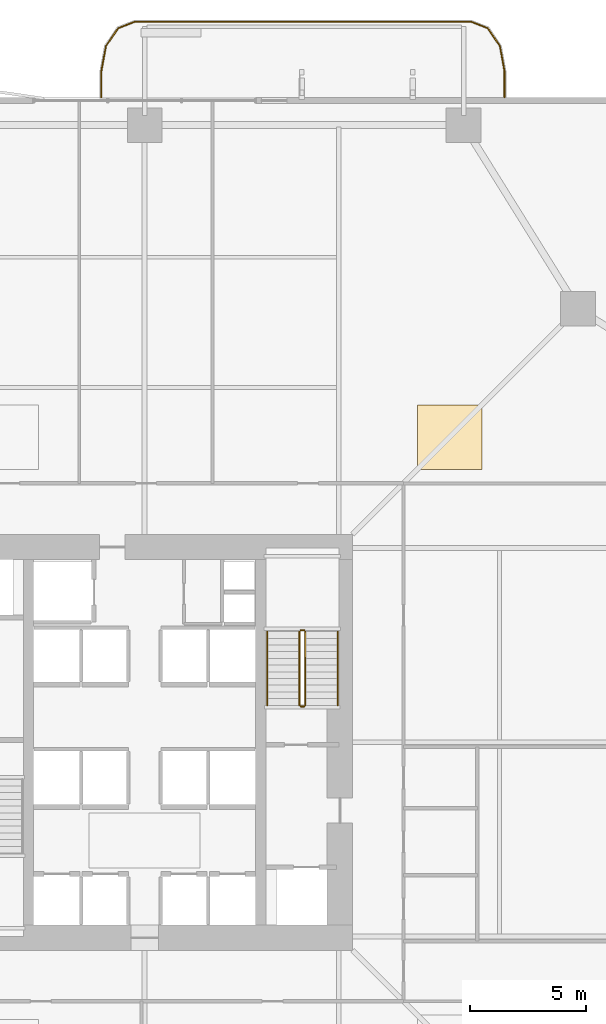
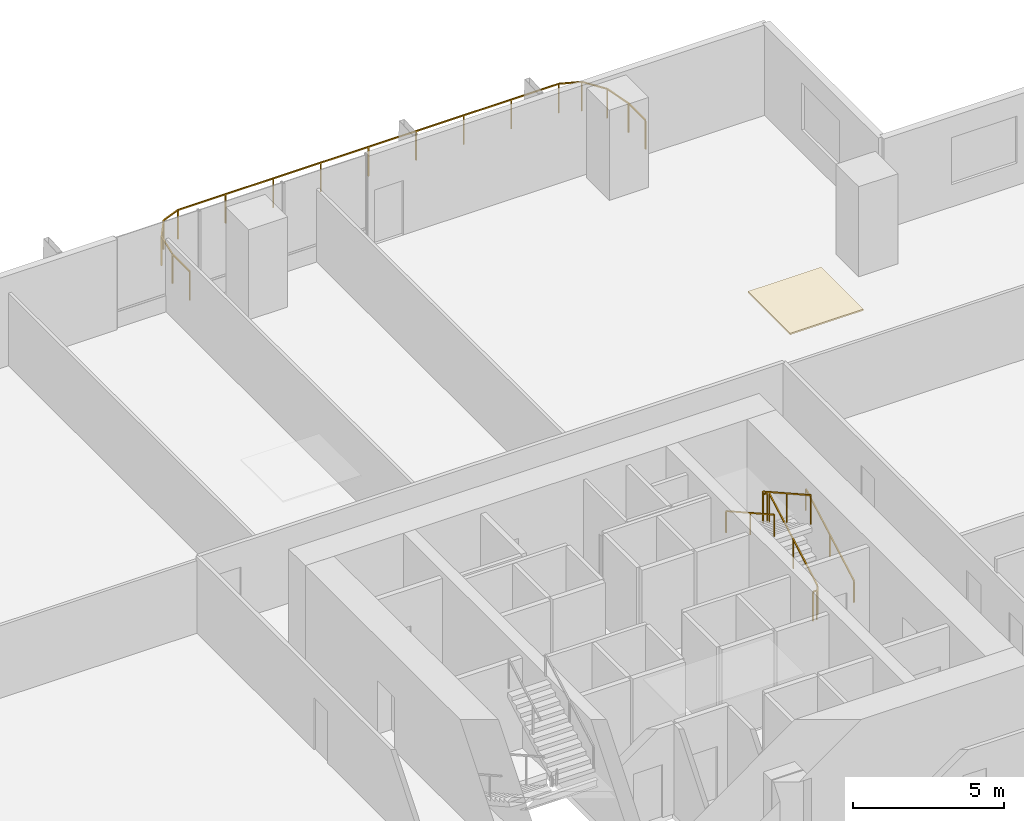
# One storey, part 23 of 23: 7 railings, 1 covering.
"""IFC4 building model written with IfcOpenShell, lengths in metres."""

from ifc_helpers import new_model, si_unit, direction, frame, origin, origin_2d, place, context, subcontext, project, spatial, polyline, rectangle, outline, extrude, material, layer, layer_set, type_object, element, save


model = new_model("IFC4")

# Units and contexts
model_context = context("Model", 3, precision=1e-05, world=origin(), true_north=direction((0.0, 1.0)))
body_context = subcontext(model_context, "Body", "Model", "MODEL_VIEW")
ifc_project = project(units=[si_unit("LENGTHUNIT", "METRE"), si_unit("AREAUNIT", "SQUARE_METRE"), si_unit("VOLUMEUNIT", "CUBIC_METRE"), si_unit("PLANEANGLEUNIT", "RADIAN"), si_unit("MASSUNIT", "GRAM", prefix="KILO")], contexts=[model_context])

# Site, building, storey
site_placement = place(None, origin())
site = spatial("IfcSite", under=ifc_project, at=site_placement, CompositionType="ELEMENT")
building_placement = place(site_placement, origin())
building = spatial("IfcBuilding", under=site, at=building_placement, Name="Belovzor Exchange Tower", CompositionType="ELEMENT")
storey_placement = place(building_placement, frame((0.0, 0.0, 88.5)))
storey = spatial("IfcBuildingStorey", under=building, at=storey_placement, Name="L21", CompositionType="ELEMENT", Elevation=88.5)

# Railings
ifc_material_1 = material(Name="Stainless Steel Grade 304", Category="steel")
railing_type_1 = type_object("IfcRailingType", Name="Brushed Stainless Steel Stair Handrail 900", PredefinedType="HANDRAIL", material=ifc_material_1)
railing_1_placement = place(storey_placement, frame((37.14990234375, 30.39990234375, 0.16259765625)))
element("IfcRailing", 1, at=railing_1_placement, inside=storey, type_object=railing_type_1, Name="L21 ST-2 stair handrail 1", PredefinedType="HANDRAIL", context=body_context, shape_type="SweptSolid", body=[
    extrude(rectangle(XDim=0.048095703125, YDim=0.048095703125, at=origin_2d()), frame((0.0, 0.0, 0.8759765625), z_axis=(0.0, 0.872406949647, 0.488780230991), x_axis=(-1.0, 0.0, 0.0)), (0.0, 0.0, 1.0), 3.65673828125),
    extrude(rectangle(XDim=0.0419921875, YDim=0.0419921875, at=origin_2d()), origin(), (0.0, 0.0, 1.0), 0.851806640625),
    extrude(rectangle(XDim=0.0419921875, YDim=0.0419921875, at=origin_2d()), frame((0.0, 1.59521484375, 0.8935546875)), (0.0, 0.0, 1.0), 0.851806640625),
    extrude(rectangle(XDim=0.0419921875, YDim=0.0419921875, at=origin_2d()), frame((0.0, 3.190185546875, 1.787353515625)), (0.0, 0.0, 1.0), 0.851806640625),
])
railing_2_placement = place(storey_placement, frame((34.10009765625, 33.590087890625, 2.112548828125)))
element("IfcRailing", 2, at=railing_2_placement, inside=storey, type_object=railing_type_1, Name="L21 ST-2 stair handrail 2", PredefinedType="HANDRAIL", context=body_context, shape_type="SweptSolid", body=[
    extrude(rectangle(XDim=0.048095703125, YDim=0.048095703125, at=origin_2d()), frame((0.0, 0.0, 0.8759765625), z_axis=(0.0, -0.872406949647, 0.488780230991), x_axis=(1.0, 0.0, 0.0)), (0.0, 0.0, 1.0), 3.65673828125),
    extrude(rectangle(XDim=0.0419921875, YDim=0.0419921875, at=origin_2d()), origin(), (0.0, 0.0, 1.0), 0.851806640625),
    extrude(rectangle(XDim=0.0419921875, YDim=0.0419921875, at=origin_2d()), frame((0.0, -1.59521484375, 0.8935546875)), (0.0, 0.0, 1.0), 0.851806640625),
    extrude(rectangle(XDim=0.0419921875, YDim=0.0419921875, at=origin_2d()), frame((0.0, -3.190185546875, 1.787353515625)), (0.0, 0.0, 1.0), 0.851806640625),
])
ifc_material_2 = material(Name="Stainless Steel and Laminated Safety Glass", Category="steel")
railing_type_2 = type_object("IfcRailingType", Name="Laminated Glass & Stainless Steel Balcony Balustrade 1200", PredefinedType="BALUSTRADE", material=ifc_material_2)
railing_3_placement = place(storey_placement, frame((44.3701171875, 56.7099609375, 0.0)))
element("IfcRailing", 3, at=railing_3_placement, inside=storey, type_object=railing_type_2, Name="GR-1 Balcony Balustrade L21 North", PredefinedType="BALUSTRADE", context=body_context, shape_type="SweptSolid", body=[
    extrude(rectangle(XDim=0.048095703125, YDim=0.048095703125, at=origin_2d()), frame((0.0, 0.0, 1.17578125), z_axis=(0.0, 1.0, 0.0), x_axis=(-1.0, 0.0, 0.0)), (0.0, 0.0, 1.0), 1.133056640625),
    extrude(rectangle(XDim=0.048095703125, YDim=0.048095703125, at=origin_2d()), frame((0.0, 1.133056640625, 1.17578125), z_axis=(-0.180122719713, 0.983644145941, 0.0), x_axis=(-0.983644145941, -0.180122719713, 0.0)), (0.0, 0.0, 1.0), 1.09375),
    extrude(rectangle(XDim=0.048095703125, YDim=0.048095703125, at=origin_2d()), frame((-0.197021484375, 2.208984375, 1.17578125), z_axis=(-0.56294695933, 0.826493025367, 0.0), x_axis=(-0.826493025367, -0.56294695933, 0.0)), (0.0, 0.0, 1.0), 0.932861328125),
    extrude(rectangle(XDim=0.048095703125, YDim=0.048095703125, at=origin_2d()), frame((-0.72216796875, 2.97998046875, 1.17578125), z_axis=(-0.930766990125, 0.365612923861, 0.0), x_axis=(-0.365612923861, -0.930766990125, 0.0)), (0.0, 0.0, 1.0), 0.765869140625),
    extrude(rectangle(XDim=0.048095703125, YDim=0.048095703125, at=origin_2d()), frame((-1.43505859375, 3.260009765625, 1.17578125), z_axis=(-1.0, 0.0, 0.0), x_axis=(0.0, -1.0, 0.0)), (0.0, 0.0, 1.0), 14.570068359375),
    extrude(rectangle(XDim=0.048095703125, YDim=0.048095703125, at=origin_2d()), frame((-16.005126953125, 3.260009765625, 1.17578125), z_axis=(-0.930766990125, -0.365612923861, 0.0), x_axis=(0.365612923861, -0.930766990125, 0.0)), (0.0, 0.0, 1.0), 0.765869140625),
    extrude(rectangle(XDim=0.048095703125, YDim=0.048095703125, at=origin_2d()), frame((-16.718017578125, 2.97998046875, 1.17578125), z_axis=(-0.56294695933, -0.826493025367, 0.0), x_axis=(0.826493025367, -0.56294695933, 0.0)), (0.0, 0.0, 1.0), 0.932861328125),
    extrude(rectangle(XDim=0.048095703125, YDim=0.048095703125, at=origin_2d()), frame((-17.2431640625, 2.208984375, 1.17578125), z_axis=(-0.180122719713, -0.983644145941, 0.0), x_axis=(0.983644145941, -0.180122719713, 0.0)), (0.0, 0.0, 1.0), 1.09375),
    extrude(rectangle(XDim=0.048095703125, YDim=0.048095703125, at=origin_2d()), frame((-17.440185546875, 1.133056640625, 1.17578125), z_axis=(0.0, -1.0, 0.0), x_axis=(1.0, 0.0, 0.0)), (0.0, 0.0, 1.0), 1.133056640625),
    extrude(rectangle(XDim=0.0419921875, YDim=0.0419921875, at=origin_2d()), origin(), (0.0, 0.0, 1.0), 1.15185546875),
    extrude(rectangle(XDim=0.0419921875, YDim=0.0419921875, at=origin_2d()), frame((0.0, 1.133056640625, 0.0)), (0.0, 0.0, 1.0), 1.15185546875),
    extrude(rectangle(XDim=0.0419921875, YDim=0.0419921875, at=origin_2d()), frame((-0.197021484375, 2.208984375, 0.0)), (0.0, 0.0, 1.0), 1.15185546875),
    extrude(rectangle(XDim=0.0419921875, YDim=0.0419921875, at=origin_2d()), frame((-0.72216796875, 2.97998046875, 0.0)), (0.0, 0.0, 1.0), 1.15185546875),
    extrude(rectangle(XDim=0.0419921875, YDim=0.0419921875, at=origin_2d()), frame((-1.43505859375, 3.260009765625, 0.0)), (0.0, 0.0, 1.0), 1.15185546875),
    extrude(rectangle(XDim=0.0419921875, YDim=0.0419921875, at=origin_2d()), frame((-3.25634765625, 3.260009765625, 0.0)), (0.0, 0.0, 1.0), 1.15185546875),
    extrude(rectangle(XDim=0.0419921875, YDim=0.0419921875, at=origin_2d()), frame((-5.07763671875, 3.260009765625, 0.0)), (0.0, 0.0, 1.0), 1.15185546875),
    extrude(rectangle(XDim=0.0419921875, YDim=0.0419921875, at=origin_2d()), frame((-6.89892578125, 3.260009765625, 0.0)), (0.0, 0.0, 1.0), 1.15185546875),
    extrude(rectangle(XDim=0.0419921875, YDim=0.0419921875, at=origin_2d()), frame((-8.72021484375, 3.260009765625, 0.0)), (0.0, 0.0, 1.0), 1.15185546875),
    extrude(rectangle(XDim=0.0419921875, YDim=0.0419921875, at=origin_2d()), frame((-10.541259765625, 3.260009765625, 0.0)), (0.0, 0.0, 1.0), 1.15185546875),
    extrude(rectangle(XDim=0.0419921875, YDim=0.0419921875, at=origin_2d()), frame((-12.362548828125, 3.260009765625, 0.0)), (0.0, 0.0, 1.0), 1.15185546875),
    extrude(rectangle(XDim=0.0419921875, YDim=0.0419921875, at=origin_2d()), frame((-14.183837890625, 3.260009765625, 0.0)), (0.0, 0.0, 1.0), 1.15185546875),
    extrude(rectangle(XDim=0.0419921875, YDim=0.0419921875, at=origin_2d()), frame((-16.005126953125, 3.260009765625, 0.0)), (0.0, 0.0, 1.0), 1.15185546875),
    extrude(rectangle(XDim=0.0419921875, YDim=0.0419921875, at=origin_2d()), frame((-16.718017578125, 2.97998046875, 0.0)), (0.0, 0.0, 1.0), 1.15185546875),
    extrude(rectangle(XDim=0.0419921875, YDim=0.0419921875, at=origin_2d()), frame((-17.2431640625, 2.208984375, 0.0)), (0.0, 0.0, 1.0), 1.15185546875),
    extrude(rectangle(XDim=0.0419921875, YDim=0.0419921875, at=origin_2d()), frame((-17.440185546875, 1.133056640625, 0.0)), (0.0, 0.0, 1.0), 1.15185546875),
    extrude(rectangle(XDim=0.0419921875, YDim=0.0419921875, at=origin_2d()), frame((-17.440185546875, 0.0, 0.0)), (0.0, 0.0, 1.0), 1.15185546875),
])
ifc_material_3 = material(Name="Steel S355", Category="steel")
railing_type_3 = type_object("IfcRailingType", Name="Painted Steel Stairwell Guardrail 1200", PredefinedType="GUARDRAIL", material=ifc_material_3)
railing_4_placement = place(storey_placement, frame((35.75, 30.39990234375, 0.16259765625)))
element("IfcRailing", 4, at=railing_4_placement, inside=storey, type_object=railing_type_3, Name="L21 ST-2 stair guard 1", PredefinedType="GUARDRAIL", context=body_context, shape_type="SweptSolid", body=[
    extrude(rectangle(XDim=0.048095703125, YDim=0.048095703125, at=origin_2d()), frame((0.0, 0.0, 1.17578125), z_axis=(0.0, 0.872406949647, 0.488780230991), x_axis=(-1.0, 0.0, 0.0)), (0.0, 0.0, 1.0), 3.65673828125),
    extrude(rectangle(XDim=0.0419921875, YDim=0.0419921875, at=origin_2d()), origin(), (0.0, 0.0, 1.0), 1.15185546875),
    extrude(rectangle(XDim=0.0419921875, YDim=0.0419921875, at=origin_2d()), frame((0.0, 1.59521484375, 0.8935546875)), (0.0, 0.0, 1.0), 1.15185546875),
    extrude(rectangle(XDim=0.0419921875, YDim=0.0419921875, at=origin_2d()), frame((0.0, 3.190185546875, 1.787353515625)), (0.0, 0.0, 1.0), 1.15185546875),
])
railing_5_placement = place(storey_placement, frame((35.699951171875, 33.639892578125, 1.949951171875)))
element("IfcRailing", 5, at=railing_5_placement, inside=storey, type_object=railing_type_3, Name="L21 ST-2 stair guard 2", PredefinedType="GUARDRAIL", context=body_context, shape_type="SweptSolid", body=[
    extrude(rectangle(XDim=0.048095703125, YDim=0.048095703125, at=origin_2d()), frame((0.0, 0.0, 1.17578125), z_axis=(-1.0, 0.0, 0.0), x_axis=(0.0, -1.0, 0.0)), (0.0, 0.0, 1.0), 0.14990234375),
    extrude(rectangle(XDim=0.0419921875, YDim=0.0419921875, at=origin_2d()), origin(), (0.0, 0.0, 1.0), 1.15185546875),
    extrude(rectangle(XDim=0.0419921875, YDim=0.0419921875, at=origin_2d()), frame((-0.14990234375, 0.0, 0.0)), (0.0, 0.0, 1.0), 1.15185546875),
])
railing_6_placement = place(storey_placement, frame((35.5, 33.590087890625, 2.112548828125)))
element("IfcRailing", 6, at=railing_6_placement, inside=storey, type_object=railing_type_3, Name="L21 ST-2 stair guard 3", PredefinedType="GUARDRAIL", context=body_context, shape_type="SweptSolid", body=[
    extrude(rectangle(XDim=0.048095703125, YDim=0.048095703125, at=origin_2d()), frame((0.0, 0.0, 1.17578125), z_axis=(0.0, -0.872406949647, 0.488780230991), x_axis=(1.0, 0.0, 0.0)), (0.0, 0.0, 1.0), 3.65673828125),
    extrude(rectangle(XDim=0.0419921875, YDim=0.0419921875, at=origin_2d()), origin(), (0.0, 0.0, 1.0), 1.15185546875),
    extrude(rectangle(XDim=0.0419921875, YDim=0.0419921875, at=origin_2d()), frame((0.0, -1.59521484375, 0.8935546875)), (0.0, 0.0, 1.0), 1.15185546875),
    extrude(rectangle(XDim=0.0419921875, YDim=0.0419921875, at=origin_2d()), frame((0.0, -3.190185546875, 1.787353515625)), (0.0, 0.0, 1.0), 1.15185546875),
])
railing_7_placement = place(storey_placement, frame((35.699951171875, 30.35009765625, 0.0)))
element("IfcRailing", 7, at=railing_7_placement, inside=storey, type_object=railing_type_3, Name="L21 ST-2 stair guard 4", PredefinedType="GUARDRAIL", context=body_context, shape_type="SweptSolid", body=[
    extrude(rectangle(XDim=0.048095703125, YDim=0.048095703125, at=origin_2d()), frame((0.0, 0.0, 1.17578125), z_axis=(-1.0, 0.0, 0.0), x_axis=(0.0, -1.0, 0.0)), (0.0, 0.0, 1.0), 0.14990234375),
    extrude(rectangle(XDim=0.0419921875, YDim=0.0419921875, at=origin_2d()), origin(), (0.0, 0.0, 1.0), 1.15185546875),
    extrude(rectangle(XDim=0.0419921875, YDim=0.0419921875, at=origin_2d()), frame((-0.14990234375, 0.0, 0.0)), (0.0, 0.0, 1.0), 1.15185546875),
])

# Covering
ifc_material_4 = material(Name="Perforated Powder-Coated Aluminium", Category="aluminium")
ifc_layer = layer(ifc_material_4, 0.06005859375)
ifc_layer_set = layer_set([ifc_layer], Name="Perforated Powder-Coated Aluminium")
covering_type = type_object("IfcCoveringType", Name="Perforated Acoustic Metal Tile Suspended Ceiling 60", PredefinedType="CEILING", material=ifc_layer_set)
covering_placement = place(storey_placement, frame((0.0, 0.0, 3.590087890625)))
element("IfcCovering", 8, at=covering_placement, inside=storey, type_object=covering_type, Name="CLG-AC60 Suspended Ceiling CLG-L21-Z2", PredefinedType="CEILING", context=body_context, shape_type="SweptSolid", body=[
    extrude(outline(polyline([(40.60009765625, 40.60009765625), (43.39990234375, 40.60009765625), (43.39990234375, 43.39990234375), (40.60009765625, 43.39990234375), (40.60009765625, 40.60009765625)])), origin(), (0.0, 0.0, 1.0), 0.059814453125),
])

save(model, "model.ifc")
